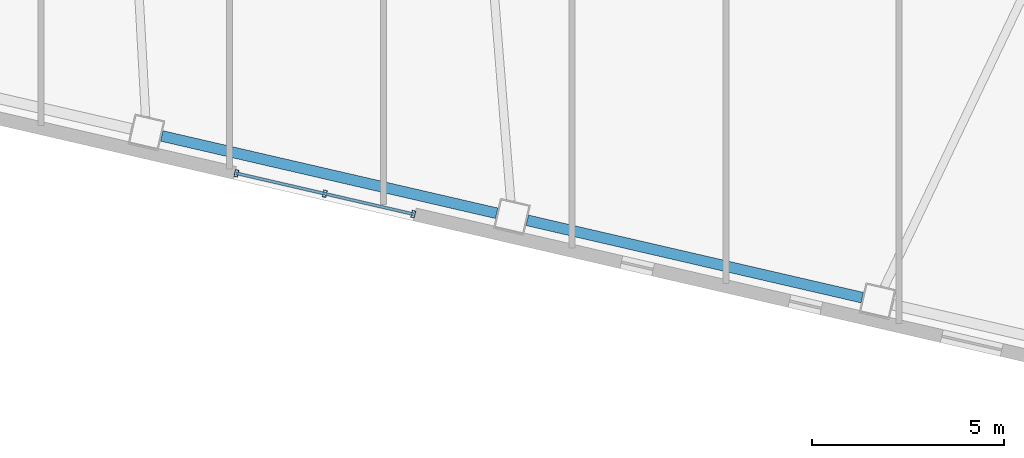
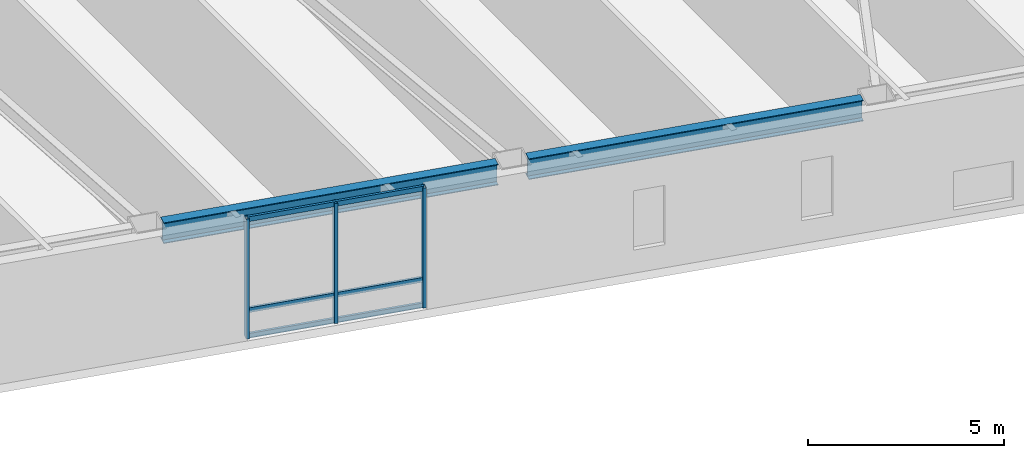
# One storey, part 5 of 21: 6 members, 2 beams, 1 element without a shape of its own.
"""IFC4 building model written with IfcOpenShell, lengths in metres."""

from ifc_helpers import new_model, si_unit, direction, frame, origin, origin_2d, place, context, subcontext, project, spatial, hollow_rectangle, i_section, extrude, material, layer, layer_set, material_profile, profile_set, type_object, element, aggregate, save


model = new_model("IFC4")

# Units and contexts
model_context = context("Model", 3, precision=1e-05, world=origin(), true_north=direction((0.0, 1.0)))
body_context = subcontext(model_context, "Body", "Model", "MODEL_VIEW")
ifc_project = project(units=[si_unit("LENGTHUNIT", "METRE"), si_unit("AREAUNIT", "SQUARE_METRE"), si_unit("VOLUMEUNIT", "CUBIC_METRE"), si_unit("PLANEANGLEUNIT", "RADIAN"), si_unit("MASSUNIT", "GRAM", prefix="KILO")], contexts=[model_context])

# Site, building, storey
site_placement = place(None, origin())
site = spatial("IfcSite", under=ifc_project, at=site_placement, CompositionType="ELEMENT")
building_placement = place(site_placement, origin())
building = spatial("IfcBuilding", under=site, at=building_placement, Name="Tavrogorsk Clinical Tower", CompositionType="ELEMENT")
storey_placement = place(building_placement, frame((0.0, 0.0, 43.39990234375)))
storey = spatial("IfcBuildingStorey", under=building, at=storey_placement, Name="L08", CompositionType="ELEMENT", Elevation=43.39990234375)

# Curtain wall, members
ifc_material_1 = material(Name="Anodised aluminium and triple IGU glazing", Category="aluminium")
ifc_layer = layer(ifc_material_1, 0.179931640625)
ifc_layer_set = layer_set([ifc_layer], Name="Anodised aluminium and triple IGU glazing")
curtain_wall_type = type_object("IfcCurtainWallType", Name="CW3_SouthSlot", PredefinedType="NOTDEFINED", material=ifc_layer_set)
curtain_wall_placement = place(storey_placement, origin())
curtain_wall = element("IfcCurtainWall", 1, at=curtain_wall_placement, inside=storey, type_object=curtain_wall_type, Name="L08 Curtain Wall CW-L08-S-SLOT-2", PredefinedType="NOTDEFINED")
ifc_material_2 = material(Name="Anodised aluminium alloy AW-6060", Category="aluminium")
ifc_material_profile_1 = material_profile(ifc_material_2, hollow_rectangle(XDim=0.090087890625, YDim=0.179931640625, WallThickness=0.00634765625, at=origin_2d()), Name="RHS-180x90x6.3")
ifc_profile_set_1 = profile_set([ifc_material_profile_1], Name="Anodised aluminium alloy AW-6060")
member_type_1 = type_object("IfcMemberType", Name="CwMullion_180x90", PredefinedType="MULLION", material=ifc_profile_set_1)
member_1_placement = place(storey_placement, frame((-0.92041015625, -28.240478515625, 0.0), z_axis=(0.0, 0.0, 1.0), x_axis=(0.974370102963, -0.224950888978, 0.0)))
member_1 = element("IfcMember", 2, at=member_1_placement, type_object=member_type_1, Name="CW-L08-S-SLOT-2 Mullion 1", PredefinedType="MULLION", context=body_context, shape_type="SweptSolid", body=[
    extrude(hollow_rectangle(XDim=0.090087890625, YDim=0.179931640625, WallThickness=0.00634765625, at=origin_2d()), origin(), (0.0, 0.0, 1.0), 3.739990234375),
])
member_2_placement = place(storey_placement, frame((1.378173828125, -28.771240234375, 0.0), z_axis=(0.0, 0.0, 1.0), x_axis=(0.974370102963, -0.224950888978, 0.0)))
member_2 = element("IfcMember", 3, at=member_2_placement, type_object=member_type_1, Name="CW-L08-S-SLOT-2 Mullion 2", PredefinedType="MULLION", context=body_context, shape_type="SweptSolid", body=[
    extrude(hollow_rectangle(XDim=0.090087890625, YDim=0.179931640625, WallThickness=0.00634765625, at=origin_2d()), origin(), (0.0, 0.0, 1.0), 3.739990234375),
])
member_3_placement = place(storey_placement, frame((3.6767578125, -29.3017578125, 0.0), z_axis=(0.0, 0.0, 1.0), x_axis=(0.974370102963, -0.224950888978, 0.0)))
member_3 = element("IfcMember", 4, at=member_3_placement, type_object=member_type_1, Name="CW-L08-S-SLOT-2 Mullion 3", PredefinedType="MULLION", context=body_context, shape_type="SweptSolid", body=[
    extrude(hollow_rectangle(XDim=0.090087890625, YDim=0.179931640625, WallThickness=0.00634765625, at=origin_2d()), origin(), (0.0, 0.0, 1.0), 3.739990234375),
])
ifc_material_3 = material(Name="Anodised aluminium alloy AW-6060", Category="aluminium")
ifc_material_profile_2 = material_profile(ifc_material_3, hollow_rectangle(XDim=0.074951171875, YDim=0.14990234375, WallThickness=0.0048828125, at=origin_2d()), Name="RHS-150x75x5")
ifc_profile_set_2 = profile_set([ifc_material_profile_2], Name="Anodised aluminium alloy AW-6060")
member_type_2 = type_object("IfcMemberType", Name="CwTransom_150x75", PredefinedType="USERDEFINED", material=ifc_profile_set_2)
member_4_placement = place(storey_placement, frame((-0.92041015625, -28.240478515625, 0.050048828125), z_axis=(0.974372877948, -0.22493886885, 0.0), x_axis=(0.22493886885, 0.974372877948, 0.0)))
member_4 = element("IfcMember", 5, at=member_4_placement, type_object=member_type_2, Name="CW-L08-S-SLOT-2 Transom 1", ObjectType="TRANSOM", PredefinedType="USERDEFINED", context=body_context, shape_type="SweptSolid", body=[
    extrude(hollow_rectangle(XDim=0.074951171875, YDim=0.14990234375, WallThickness=0.0048828125, at=origin_2d()), origin(), (0.0, 0.0, 1.0), 4.718017578125),
])
member_5_placement = place(storey_placement, frame((-0.92041015625, -28.240478515625, 0.85009765625), z_axis=(0.974372877948, -0.22493886885, 0.0), x_axis=(0.22493886885, 0.974372877948, 0.0)))
member_5 = element("IfcMember", 6, at=member_5_placement, type_object=member_type_2, Name="CW-L08-S-SLOT-2 Transom 2", ObjectType="TRANSOM", PredefinedType="USERDEFINED", context=body_context, shape_type="SweptSolid", body=[
    extrude(hollow_rectangle(XDim=0.074951171875, YDim=0.14990234375, WallThickness=0.0048828125, at=origin_2d()), origin(), (0.0, 0.0, 1.0), 4.718017578125),
])
member_6_placement = place(storey_placement, frame((-0.92041015625, -28.240478515625, 3.690185546875), z_axis=(0.974372877948, -0.22493886885, 0.0), x_axis=(0.22493886885, 0.974372877948, 0.0)))
member_6 = element("IfcMember", 7, at=member_6_placement, type_object=member_type_2, Name="CW-L08-S-SLOT-2 Transom 3", ObjectType="TRANSOM", PredefinedType="USERDEFINED", context=body_context, shape_type="SweptSolid", body=[
    extrude(hollow_rectangle(XDim=0.074951171875, YDim=0.14990234375, WallThickness=0.0048828125, at=origin_2d()), origin(), (0.0, 0.0, 1.0), 4.718017578125),
])
aggregate(curtain_wall, [member_1, member_2, member_3, member_4, member_5, member_6])

# Beams
ifc_material_4 = material(Name="Structural steel S390", Category="steel")
ifc_material_profile_3 = material_profile(ifc_material_4, i_section(OverallWidth=0.280029296875, OverallDepth=0.64990234375, WebThickness=0.01611328125, FlangeThickness=0.02490234375, at=origin_2d()), Name="B-650x280x16x25")
ifc_profile_set_3 = profile_set([ifc_material_profile_3], Name="Structural steel S390")
beam_type = type_object("IfcBeamType", Name="SpandrelBeam_B650", PredefinedType="SPANDREL", material=ifc_profile_set_3)
for number, where, z_axis, x_axis, name in (
    (8, (-2.85888671875, -27.26953125, 3.4150390625), (0.974372766602, -0.224939351168, 0.0), (0.224939351168, 0.974372766602, 0.0), "L08 Perimeter Spandrel S5-S6"),
    (9, (6.639892578125, -29.46240234375, 3.4150390625), (0.974366775889, -0.224965299645, 0.0), (0.224965299645, 0.974366775889, 0.0), "L08 Perimeter Spandrel S6-S7"),
):
    element("IfcBeam", number, at=place(storey_placement, frame(where, z_axis=z_axis, x_axis=x_axis)), inside=storey, type_object=beam_type, Name=name, PredefinedType="SPANDREL", context=body_context, shape_type="SweptSolid", body=[
        extrude(i_section(OverallWidth=0.280029296875, OverallDepth=0.64990234375, WebThickness=0.01611328125, FlangeThickness=0.02490234375, at=origin_2d()), origin(), (0.0, 0.0, 1.0), 8.9326171875),
    ])

save(model, "model.ifc")
